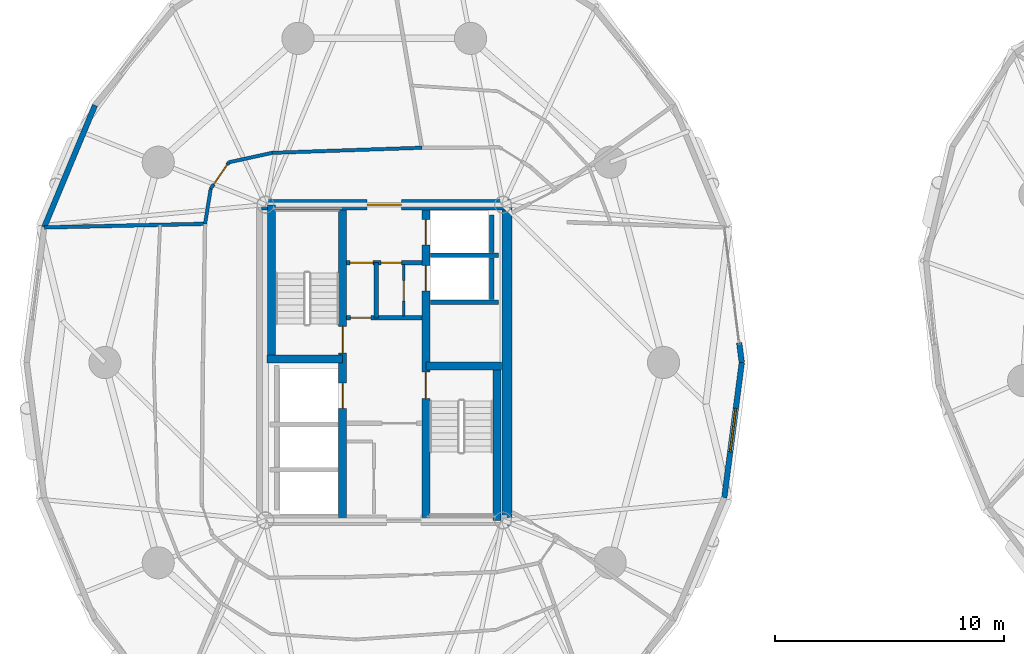
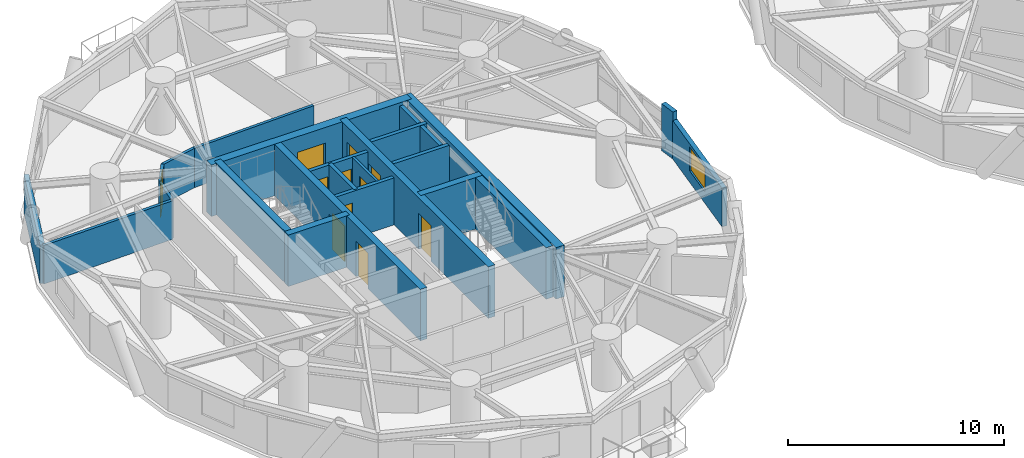
# One storey, part 10 of 18: 24 walls, 11 doors, 1 window, 12 openings.
"""IFC4 building model written with IfcOpenShell, lengths in metres."""

from ifc_helpers import new_model, si_unit, direction, frame, frame_2d, origin, place, context, subcontext, project, spatial, rectangle, extrude, source, transform, mapped, material, layer, layer_set, type_object, element, fill, save


model = new_model("IFC4")

# Units and contexts
model_context = context("Model", 3, precision=1e-05, world=origin(), true_north=direction((0.0, 1.0)))
body_context = subcontext(model_context, "Body", "Model", "MODEL_VIEW")
ifc_project = project(units=[si_unit("LENGTHUNIT", "METRE"), si_unit("AREAUNIT", "SQUARE_METRE"), si_unit("VOLUMEUNIT", "CUBIC_METRE"), si_unit("PLANEANGLEUNIT", "RADIAN"), si_unit("MASSUNIT", "GRAM", prefix="KILO")], contexts=[model_context])

# Site, building, storey
site_placement = place(None, origin())
site = spatial("IfcSite", under=ifc_project, at=site_placement, CompositionType="ELEMENT")
building_placement = place(site_placement, origin())
building = spatial("IfcBuilding", under=site, at=building_placement, Name="Cununo Teusaquillo Station Towers", CompositionType="ELEMENT")
storey_placement = place(building_placement, frame((0.0, 0.0, 105.070068359375)))
storey = spatial("IfcBuildingStorey", under=building, at=storey_placement, Name="L33", CompositionType="ELEMENT", Elevation=105.070068359375)

# Walls
ifc_material_1 = material(Name="Concrete C50/60", Category="concrete")
ifc_layer_1 = layer(ifc_material_1, 0.199951171875)
ifc_layer_set_1 = layer_set([ifc_layer_1], Name="Concrete C50/60")
wall_type_1 = type_object("IfcWallType", Name="WL-CORE-200", PredefinedType="SHEAR", material=ifc_layer_set_1)
for number, where, z_axis, x_axis, name in (
    (1, (18.510009765625, 27.1298828125, 0.0), (0.0, 0.0, 1.0), (1.0, 0.0, 0.0), "L33 Tower A Low-Rise Lift Hoistway South Shear Wall"),
    (2, (18.510009765625, 29.175048828125, 0.0), (0.0, 0.0, 1.0), (1.0, 0.0, 0.0), "L33 Tower A Low-Rise Lift Hoistway Divider Shear Wall"),
):
    element("IfcWall", number, at=place(storey_placement, frame(where, z_axis=z_axis, x_axis=x_axis)), inside=storey, type_object=wall_type_1, Name=name, PredefinedType="SHEAR", context=body_context, shape_type="SweptSolid", body=[
        extrude(rectangle(XDim=2.969970703125, YDim=0.199951171875, at=frame_2d((1.48486328125, 0.0))), origin(), (0.0, 0.0, 1.0), 2.909912109375),
    ])
wall_1_placement = place(storey_placement, frame((21.179931640625, 27.25, 0.0), z_axis=(0.0, 0.0, 1.0), x_axis=(0.0, 1.0, 0.0)))
element("IfcWall", 3, at=wall_1_placement, inside=storey, type_object=wall_type_1, Name="L33 Tower A Low-Rise Lift 1 Shaft Rear Shear Wall", PredefinedType="SHEAR", context=body_context, shape_type="SweptSolid", body=[
    extrude(rectangle(XDim=1.804931640625, YDim=0.199951171875, at=frame_2d((0.90234375, 0.0))), origin(), (0.0, 0.0, 1.0), 2.909912109375),
])
wall_2_placement = place(storey_placement, frame((21.179931640625, 29.294921875, 0.0), z_axis=(0.0, 0.0, 1.0), x_axis=(0.0, 1.0, 0.0)))
element("IfcWall", 4, at=wall_2_placement, inside=storey, type_object=wall_type_1, Name="L33 Tower A Low-Rise Lift 2 Shaft Rear Shear Wall", PredefinedType="SHEAR", context=body_context, shape_type="SweptSolid", body=[
    extrude(rectangle(XDim=1.635009765625, YDim=0.199951171875, at=frame_2d((0.8173828125, 0.0))), origin(), (0.0, 0.0, 1.0), 2.909912109375),
])

# Wall, openings, doors
ifc_material_2 = material(Name="Concrete C50/60", Category="concrete")
ifc_layer_2 = layer(ifc_material_2, 0.35009765625)
ifc_layer_set_2 = layer_set([ifc_layer_2], Name="Concrete C50/60")
wall_type_2 = type_object("IfcWallType", Name="WL-CORE-350", PredefinedType="SHEAR", material=ifc_layer_set_2)
wall_3_placement = place(storey_placement, frame((14.68505859375, 17.625, 0.0), z_axis=(0.0, 0.0, 1.0), x_axis=(0.0, 1.0, 0.0)))
wall_3 = element("IfcWall", 5, at=wall_3_placement, inside=storey, type_object=wall_type_2, Name="L33 Tower A Core Shear Wall IW", PredefinedType="SHEAR", context=body_context, shape_type="SweptSolid", body=[
    extrude(rectangle(XDim=13.75, YDim=0.35009765625, at=frame_2d((6.875, 0.0))), origin(), (0.0, 0.0, 1.0), 2.909912109375),
])
shared_shape_1 = source(origin(), body_context, "Body", "SweptSolid", [
    extrude(rectangle(XDim=1.10009765625, YDim=2.014892578125, at=frame_2d((0.550048828125, 1.00732421875))), frame((0.0, 0.18505859375, 0.0), z_axis=(0.0, -1.0, 0.0), x_axis=(1.0, 0.0, 0.0)), (0.0, 0.0, 1.0), 0.3701171875),
])
opening_1_placement = place(wall_3_placement, frame((4.875, 0.0, 0.0)))
opening_1 = element("IfcOpeningElement", 6, at=opening_1_placement, cuts=wall_3, Name="Opening LD-01", PredefinedType="OPENING", context=body_context, shape_type="MappedRepresentation", body=[
    mapped(shared_shape_1, transform((0.0, 0.0, 0.0), x_axis=(1.0, 0.0, 0.0), y_axis=(0.0, 1.0, 0.0), z_axis=(0.0, 0.0, 1.0), scale=1.0)),
])
shared_shape_2 = source(origin(), body_context, "Body", "SweptSolid", [
    extrude(rectangle(XDim=1.14990234375, YDim=2.02001953125, at=frame_2d((0.574951171875, 1.010009765625))), frame((0.0, 0.18505859375, 0.0), z_axis=(0.0, -1.0, 0.0), x_axis=(1.0, 0.0, 0.0)), (0.0, 0.0, 1.0), 0.3701171875),
])
opening_2_placement = place(wall_3_placement, frame((7.294921875, 0.0, 0.0)))
opening_2 = element("IfcOpeningElement", 7, at=opening_2_placement, cuts=wall_3, Name="Opening D-ST1", PredefinedType="OPENING", context=body_context, shape_type="MappedRepresentation", body=[
    mapped(shared_shape_2, transform((0.0, 0.0, 0.0), x_axis=(1.0, 0.0, 0.0), y_axis=(0.0, 1.0, 0.0), z_axis=(0.0, 0.0, 1.0), scale=1.0)),
])
ifc_material_3 = material(Name="Galvanised fire-rated hollow steel door assembly", Category="steel")
door_type_1 = type_object("IfcDoorType", Name="DR-LIFT-1100", OperationType="SLIDING_TO_LEFT", PredefinedType="DOOR", material=ifc_material_3)
shared_shape_3 = source(origin(), body_context, "Body", "SweptSolid", [
    extrude(rectangle(XDim=1.10009765625, YDim=2.014892578125, at=frame_2d((0.550048828125, 1.00732421875))), frame((0.0, 0.02490234375, 0.0), z_axis=(0.0, -1.0, 0.0), x_axis=(1.0, 0.0, 0.0)), (0.0, 0.0, 1.0), 0.050048828125),
])
door_1_placement = place(opening_1_placement, origin())
door_1 = element("IfcDoor", 8, at=door_1_placement, inside=storey, type_object=door_type_1, Name="L33 Lift FL-T1 Sliding Landing Door", OperationType="SLIDING_TO_RIGHT", OverallHeight=2.014892578125, OverallWidth=1.10009765625, PredefinedType="DOOR", context=body_context, shape_type="MappedRepresentation", body=[
    mapped(shared_shape_3, transform((0.0, 0.0, 0.0), x_axis=(1.0, 0.0, 0.0), y_axis=(0.0, 1.0, 0.0), z_axis=(0.0, 0.0, 1.0), scale=1.0)),
])
fill(opening_1, door_1)
ifc_material_4 = material(Name="Galvanised fire-rated hollow steel door assembly", Category="steel")
door_type_2 = type_object("IfcDoorType", Name="DR-STAIR-1150", OperationType="NOTDEFINED", PredefinedType="DOOR", material=ifc_material_4)
shared_shape_4 = source(origin(), body_context, "Body", "SweptSolid", [
    extrude(rectangle(XDim=1.14990234375, YDim=2.02001953125, at=frame_2d((0.574951171875, 1.010009765625))), frame((0.0, 0.02490234375, 0.0), z_axis=(0.0, -1.0, 0.0), x_axis=(1.0, 0.0, 0.0)), (0.0, 0.0, 1.0), 0.050048828125),
])
door_2_placement = place(opening_2_placement, origin())
door_2 = element("IfcDoor", 9, at=door_2_placement, inside=storey, type_object=door_type_2, Name="L33 Tower A Exit Stair 1 Fire Door", OperationType="SINGLE_SWING_RIGHT", OverallHeight=2.02001953125, OverallWidth=1.14990234375, PredefinedType="DOOR", context=body_context, shape_type="MappedRepresentation", body=[
    mapped(shared_shape_4, transform((0.0, 0.0, 0.0), x_axis=(1.0, 0.0, 0.0), y_axis=(0.0, 1.0, 0.0), z_axis=(0.0, 0.0, 1.0), scale=1.0)),
])
fill(opening_2, door_2)

wall_4_placement = place(storey_placement, frame((18.31494140625, 17.625, 0.0), z_axis=(0.0, 0.0, 1.0), x_axis=(0.0, 1.0, 0.0)))
wall_4 = element("IfcWall", 10, at=wall_4_placement, inside=storey, type_object=wall_type_2, Name="L33 Tower A Core Shear Wall IE", PredefinedType="SHEAR", context=body_context, shape_type="SweptSolid", body=[
    extrude(rectangle(XDim=13.75, YDim=0.35009765625, at=frame_2d((6.875, 0.0))), origin(), (0.0, 0.0, 1.0), 2.909912109375),
])
opening_3_placement = place(wall_4_placement, frame((10.0, 0.0, 0.0)))
opening_3 = element("IfcOpeningElement", 11, at=opening_3_placement, cuts=wall_4, Name="Opening LD-01", PredefinedType="OPENING", context=body_context, shape_type="MappedRepresentation", body=[
    mapped(shared_shape_1, transform((0.0, 0.0, 0.0), x_axis=(1.0, 0.0, 0.0), y_axis=(0.0, 1.0, 0.0), z_axis=(0.0, 0.0, 1.0), scale=1.0)),
])
opening_4_placement = place(wall_4_placement, frame((12.0, 0.0, 0.0)))
opening_4 = element("IfcOpeningElement", 12, at=opening_4_placement, cuts=wall_4, Name="Opening LD-01", PredefinedType="OPENING", context=body_context, shape_type="MappedRepresentation", body=[
    mapped(shared_shape_1, transform((0.0, 0.0, 0.0), x_axis=(1.0, 0.0, 0.0), y_axis=(0.0, 1.0, 0.0), z_axis=(0.0, 0.0, 1.0), scale=1.0)),
])
opening_5_placement = place(wall_4_placement, frame((5.304931640625, 0.0, 0.0)))
opening_5 = element("IfcOpeningElement", 13, at=opening_5_placement, cuts=wall_4, Name="Opening D-ST1", PredefinedType="OPENING", context=body_context, shape_type="MappedRepresentation", body=[
    mapped(shared_shape_2, transform((0.0, 0.0, 0.0), x_axis=(1.0, 0.0, 0.0), y_axis=(0.0, 1.0, 0.0), z_axis=(0.0, 0.0, 1.0), scale=1.0)),
])
door_3_placement = place(opening_3_placement, origin())
door_3 = element("IfcDoor", 14, at=door_3_placement, inside=storey, type_object=door_type_1, Name="L33 Lift PL-T1-L1 Sliding Landing Door", OperationType="SLIDING_TO_RIGHT", OverallHeight=2.014892578125, OverallWidth=1.10009765625, PredefinedType="DOOR", context=body_context, shape_type="MappedRepresentation", body=[
    mapped(shared_shape_3, transform((0.0, 0.0, 0.0), x_axis=(1.0, 0.0, 0.0), y_axis=(0.0, 1.0, 0.0), z_axis=(0.0, 0.0, 1.0), scale=1.0)),
])
fill(opening_3, door_3)
door_4_placement = place(opening_4_placement, origin())
door_4 = element("IfcDoor", 15, at=door_4_placement, inside=storey, type_object=door_type_1, Name="L33 Lift PL-T1-L2 Sliding Landing Door", OperationType="SLIDING_TO_LEFT", OverallHeight=2.014892578125, OverallWidth=1.10009765625, PredefinedType="DOOR", context=body_context, shape_type="MappedRepresentation", body=[
    mapped(shared_shape_3, transform((0.0, 0.0, 0.0), x_axis=(1.0, 0.0, 0.0), y_axis=(0.0, 1.0, 0.0), z_axis=(0.0, 0.0, 1.0), scale=1.0)),
])
fill(opening_4, door_4)
door_5_placement = place(opening_5_placement, origin())
door_5 = element("IfcDoor", 16, at=door_5_placement, inside=storey, type_object=door_type_2, Name="L33 Tower A Exit Stair 2 Fire Door", OperationType="SINGLE_SWING_LEFT", OverallHeight=2.02001953125, OverallWidth=1.14990234375, PredefinedType="DOOR", context=body_context, shape_type="MappedRepresentation", body=[
    mapped(shared_shape_4, transform((0.0, 0.0, 0.0), x_axis=(1.0, 0.0, 0.0), y_axis=(0.0, 1.0, 0.0), z_axis=(0.0, 0.0, 1.0), scale=1.0)),
])
fill(opening_5, door_5)

# Walls
wall_5_placement = place(storey_placement, frame((11.594970703125, 24.655029296875, 0.0), z_axis=(0.0, 0.0, 1.0), x_axis=(0.0, 1.0, 0.0)))
element("IfcWall", 17, at=wall_5_placement, inside=storey, type_object=wall_type_2, Name="L33 Tower A Core Shear Wall ST1W", PredefinedType="SHEAR", context=body_context, shape_type="SweptSolid", body=[
    extrude(rectangle(XDim=6.719970703125, YDim=0.35009765625, at=frame_2d((3.35986328125, 0.0))), origin(), (0.0, 0.0, 1.0), 2.909912109375),
])
wall_6_placement = place(storey_placement, frame((11.39990234375, 24.655029296875, 0.0), z_axis=(0.0, 0.0, 1.0), x_axis=(1.0, 0.0, 0.0)))
element("IfcWall", 18, at=wall_6_placement, inside=storey, type_object=wall_type_2, Name="L33 Tower A Core Shear Wall ST1S", PredefinedType="SHEAR", context=body_context, shape_type="SweptSolid", body=[
    extrude(rectangle(XDim=3.28515625, YDim=0.35009765625, at=frame_2d((1.642578125, 0.0))), origin(), (0.0, 0.0, 1.0), 2.909912109375),
])
wall_7_placement = place(storey_placement, frame((21.405029296875, 17.625, 0.0), z_axis=(0.0, 0.0, 1.0), x_axis=(0.0, 1.0, 0.0)))
element("IfcWall", 19, at=wall_7_placement, inside=storey, type_object=wall_type_2, Name="L33 Tower A Core Shear Wall ST2E", PredefinedType="SHEAR", context=body_context, shape_type="SweptSolid", body=[
    extrude(rectangle(XDim=6.719970703125, YDim=0.35009765625, at=frame_2d((3.35986328125, 0.0))), origin(), (0.0, 0.0, 1.0), 2.909912109375),
])
wall_8_placement = place(storey_placement, frame((18.31494140625, 24.344970703125, 0.0), z_axis=(0.0, 0.0, 1.0), x_axis=(1.0, 0.0, 0.0)))
element("IfcWall", 20, at=wall_8_placement, inside=storey, type_object=wall_type_2, Name="L33 Tower A Core Shear Wall ST2N", PredefinedType="SHEAR", context=body_context, shape_type="SweptSolid", body=[
    extrude(rectangle(XDim=3.28515625, YDim=0.35009765625, at=frame_2d((1.642578125, 0.0))), origin(), (0.0, 0.0, 1.0), 2.909912109375),
])
ifc_material_5 = material(Name="Concrete C60/75", Category="concrete")
ifc_layer_3 = layer(ifc_material_5, 0.449951171875)
ifc_layer_set_3 = layer_set([ifc_layer_3], Name="Concrete C60/75")
wall_type_3 = type_object("IfcWallType", Name="WL-CORE-450", PredefinedType="SHEAR", material=ifc_layer_set_3)
wall_9_placement = place(storey_placement, frame((21.85009765625, 17.39990234375, 0.0), z_axis=(0.0, 0.0, 1.0), x_axis=(0.0, 1.0, 0.0)))
element("IfcWall", 21, at=wall_9_placement, inside=storey, type_object=wall_type_3, Name="L33 Tower A Core Shear Wall E", PredefinedType="SHEAR", context=body_context, shape_type="SweptSolid", body=[
    extrude(rectangle(XDim=14.2001953125, YDim=0.449951171875, at=frame_2d((7.10009765625, 0.0))), origin(), (0.0, 0.0, 1.0), 2.909912109375),
])

# Wall, opening, door
wall_10_placement = place(storey_placement, frame((11.14990234375, 31.375, 0.0), z_axis=(0.0, 0.0, 1.0), x_axis=(1.0, 0.0, 0.0)))
wall_10 = element("IfcWall", 22, at=wall_10_placement, inside=storey, type_object=wall_type_3, Name="L33 Tower A Core Shear Wall N", PredefinedType="SHEAR", context=body_context, shape_type="SweptSolid", body=[
    extrude(rectangle(XDim=10.7001953125, YDim=0.449951171875, at=frame_2d((5.35009765625, 0.0))), origin(), (0.0, 0.0, 1.0), 2.909912109375),
])
shared_shape_5 = source(origin(), body_context, "Body", "SweptSolid", [
    extrude(rectangle(XDim=1.5, YDim=2.02001953125, at=frame_2d((0.75, 1.010009765625))), frame((0.0, 0.23486328125, 0.0), z_axis=(0.0, -1.0, 0.0), x_axis=(1.0, 0.0, 0.0)), (0.0, 0.0, 1.0), 0.469970703125),
])
opening_6_placement = place(wall_10_placement, frame((4.60009765625, 0.0, 0.0)))
opening_6 = element("IfcOpeningElement", 23, at=opening_6_placement, cuts=wall_10, Name="Opening D-LB1", PredefinedType="OPENING", context=body_context, shape_type="MappedRepresentation", body=[
    mapped(shared_shape_5, transform((0.0, 0.0, 0.0), x_axis=(1.0, 0.0, 0.0), y_axis=(0.0, 1.0, 0.0), z_axis=(0.0, 0.0, 1.0), scale=1.0)),
])
ifc_material_6 = material(Name="Galvanised fire-rated hollow steel door assembly", Category="steel")
door_type_3 = type_object("IfcDoorType", Name="DR-LOBBY-1500", OperationType="DOUBLE_DOOR_SINGLE_SWING", PredefinedType="DOOR", material=ifc_material_6)
shared_shape_6 = source(origin(), body_context, "Body", "SweptSolid", [
    extrude(rectangle(XDim=1.5, YDim=2.02001953125, at=frame_2d((0.75, 1.010009765625))), frame((0.0, 0.02490234375, 0.0), z_axis=(0.0, -1.0, 0.0), x_axis=(1.0, 0.0, 0.0)), (0.0, 0.0, 1.0), 0.050048828125),
])
door_6_placement = place(opening_6_placement, origin())
door_6 = element("IfcDoor", 24, at=door_6_placement, inside=storey, type_object=door_type_3, Name="L33 Tower A North Core Lift Lobby Door", OperationType="DOUBLE_DOOR_SINGLE_SWING", OverallHeight=2.02001953125, OverallWidth=1.5, PredefinedType="DOOR", context=body_context, shape_type="MappedRepresentation", body=[
    mapped(shared_shape_6, transform((0.0, 0.0, 0.0), x_axis=(1.0, 0.0, 0.0), y_axis=(0.0, 1.0, 0.0), z_axis=(0.0, 0.0, 1.0), scale=1.0)),
])
fill(opening_6, door_6)

# Walls
ifc_material_7 = material(Name="Precast concrete C40/50", Category="concrete")
ifc_layer_4 = layer(ifc_material_7, 0.239990234375)
ifc_layer_set_4 = layer_set([ifc_layer_4], Name="Precast concrete C40/50")
wall_type_4 = type_object("IfcWallType", Name="WL-EXT-240", PredefinedType="SOLIDWALL", material=ifc_layer_set_4)
wall_11_placement = place(storey_placement, frame((31.96923828125, 25.36279296875, 0.0), z_axis=(0.0, 0.0, 1.0), x_axis=(0.128523364007, -0.991706481225, 0.0)))
element("IfcWall", 25, at=wall_11_placement, inside=storey, type_object=wall_type_4, Name="L33 Tower A Column Pier Cladding Wall C00-PB", PredefinedType="SOLIDWALL", context=body_context, shape_type="SweptSolid", body=[
    extrude(rectangle(XDim=0.8701171875, YDim=0.239990234375, at=frame_2d((0.43505859375, 0.0))), origin(), (0.0, 0.0, 1.0), 2.655029296875),
])
wall_12_placement = place(storey_placement, frame((1.681640625, 30.39306640625, 0.0), z_axis=(0.0, 0.0, 1.0), x_axis=(0.384344417632, 0.923189779317, 0.0)))
element("IfcWall", 26, at=wall_12_placement, inside=storey, type_object=wall_type_4, Name="L33 Tower A Exterior Facade Wall C08", PredefinedType="SOLIDWALL", context=body_context, shape_type="SweptSolid", body=[
    extrude(rectangle(XDim=5.75830078125, YDim=0.239990234375, at=frame_2d((2.879150390625, 0.0))), origin(), (0.0, 0.0, 1.0), 2.178955078125),
])

# Wall, opening, window
wall_13_placement = place(storey_placement, frame((32.0810546875, 24.5, 0.0), z_axis=(0.0, 0.0, 1.0), x_axis=(-0.128351991996, -0.991728675672, 0.0)))
wall_13 = element("IfcWall", 27, at=wall_13_placement, inside=storey, type_object=wall_type_4, Name="L33 Tower A Exterior Facade Wall C19", PredefinedType="SOLIDWALL", context=body_context, shape_type="SweptSolid", body=[
    extrude(rectangle(XDim=5.942138671875, YDim=0.239990234375, at=frame_2d((2.97119140625, 0.0))), origin(), (0.0, 0.0, 1.0), 2.178955078125),
])
shared_shape_7 = source(origin(), body_context, "Body", "SweptSolid", [
    extrude(rectangle(XDim=1.89990234375, YDim=1.35009765625, at=frame_2d((0.949951171875, 0.675048828125))), frame((0.0, 0.1298828125, 0.0), z_axis=(0.0, -1.0, 0.0), x_axis=(1.0, 0.0, 0.0)), (0.0, 0.0, 1.0), 0.260009765625),
])
opening_7_placement = place(wall_13_placement, frame((2.02099609375, 0.0, 0.64990234375)))
opening_7 = element("IfcOpeningElement", 28, at=opening_7_placement, cuts=wall_13, Name="Opening WN-02", PredefinedType="OPENING", context=body_context, shape_type="MappedRepresentation", body=[
    mapped(shared_shape_7, transform((0.0, 0.0, 0.0), x_axis=(1.0, 0.0, 0.0), y_axis=(0.0, 1.0, 0.0), z_axis=(0.0, 0.0, 1.0), scale=1.0)),
])
ifc_material_8 = material(Name="Operable acoustic tinted low-E double glazing", Category="glass")
window_type = type_object("IfcWindowType", Name="WIN-OPER-1900", PartitioningType="DOUBLE_PANEL_VERTICAL", PredefinedType="WINDOW", material=ifc_material_8)
shared_shape_8 = source(origin(), body_context, "Body", "SweptSolid", [
    extrude(rectangle(XDim=1.89990234375, YDim=1.35009765625, at=frame_2d((0.949951171875, 0.675048828125))), frame((0.0, 0.030029296875, 0.0), z_axis=(0.0, -1.0, 0.0), x_axis=(1.0, 0.0, 0.0)), (0.0, 0.0, 1.0), 0.06005859375),
])
window_placement = place(opening_7_placement, origin())
window = element("IfcWindow", 29, at=window_placement, inside=storey, type_object=window_type, Name="L33 Tower A Facade Window C19", OverallHeight=1.35009765625, OverallWidth=1.89990234375, PartitioningType="DOUBLE_PANEL_VERTICAL", PredefinedType="WINDOW", context=body_context, shape_type="MappedRepresentation", body=[
    mapped(shared_shape_8, transform((0.0, 0.0, 0.0), x_axis=(1.0, 0.0, 0.0), y_axis=(0.0, 1.0, 0.0), z_axis=(0.0, 0.0, 1.0), scale=1.0)),
])
fill(opening_7, window)

# Wall, opening, door
ifc_material_9 = material(Name="Fire-rated gypsum plasterboard partition assembly", Category="gypsum")
ifc_layer_5 = layer(ifc_material_9, 0.125)
ifc_layer_set_5 = layer_set([ifc_layer_5], Name="Fire-rated gypsum plasterboard partition assembly")
wall_type_5 = type_object("IfcWallType", Name="WL-PART-125", PredefinedType="PARTITIONING", material=ifc_layer_set_5)
wall_14_placement = place(storey_placement, frame((17.35009765625, 26.52001953125, 0.0), z_axis=(0.0, 0.0, 1.0), x_axis=(0.0, 1.0, 0.0)))
wall_14 = element("IfcWall", 30, at=wall_14_placement, inside=storey, type_object=wall_type_5, Name="L33 Tower A Core Vertical Split Wall", PredefinedType="PARTITIONING", context=body_context, shape_type="SweptSolid", body=[
    extrude(rectangle(XDim=2.260009765625, YDim=0.125, at=frame_2d((1.1298828125, 0.0))), origin(), (0.0, 0.0, 1.0), 2.655029296875),
])
shared_shape_9 = source(origin(), body_context, "Body", "SweptSolid", [
    extrude(rectangle(XDim=0.89990234375, YDim=2.0048828125, at=frame_2d((0.449951171875, 1.00244140625))), frame((0.0, 0.072509765625, 0.0), z_axis=(0.0, -1.0, 0.0), x_axis=(1.0, 0.0, 0.0)), (0.0, 0.0, 1.0), 0.14501953125),
])
opening_8_placement = place(wall_14_placement, frame((0.64990234375, 0.0, 0.0)))
opening_8 = element("IfcOpeningElement", 31, at=opening_8_placement, cuts=wall_14, Name="Opening D-SR1", PredefinedType="OPENING", context=body_context, shape_type="MappedRepresentation", body=[
    mapped(shared_shape_9, transform((0.0, 0.0, 0.0), x_axis=(1.0, 0.0, 0.0), y_axis=(0.0, 1.0, 0.0), z_axis=(0.0, 0.0, 1.0), scale=1.0)),
])
ifc_material_10 = material(Name="Galvanised fire-rated hollow steel door assembly", Category="steel")
door_type_4 = type_object("IfcDoorType", Name="DR-STORE-900", OperationType="NOTDEFINED", PredefinedType="DOOR", material=ifc_material_10)
shared_shape_10 = source(origin(), body_context, "Body", "SweptSolid", [
    extrude(rectangle(XDim=0.89990234375, YDim=2.0048828125, at=frame_2d((0.449951171875, 1.00244140625))), frame((0.0, 0.02490234375, 0.0), z_axis=(0.0, -1.0, 0.0), x_axis=(1.0, 0.0, 0.0)), (0.0, 0.0, 1.0), 0.050048828125),
])
door_7_placement = place(opening_8_placement, origin())
door_7 = element("IfcDoor", 32, at=door_7_placement, inside=storey, type_object=door_type_4, Name="L33 Tower A Core Electrical Room Door", OperationType="SINGLE_SWING_RIGHT", OverallHeight=2.0048828125, OverallWidth=0.89990234375, PredefinedType="DOOR", context=body_context, shape_type="MappedRepresentation", body=[
    mapped(shared_shape_10, transform((0.0, 0.0, 0.0), x_axis=(1.0, 0.0, 0.0), y_axis=(0.0, 1.0, 0.0), z_axis=(0.0, 0.0, 1.0), scale=1.0)),
])
fill(opening_8, door_7)

# Walls
ifc_material_11 = material(Name="Fire-rated gypsum plasterboard partition assembly", Category="gypsum")
ifc_layer_6 = layer(ifc_material_11, 0.14990234375)
ifc_layer_set_6 = layer_set([ifc_layer_6], Name="Fire-rated gypsum plasterboard partition assembly")
wall_type_6 = type_object("IfcWallType", Name="WL-PART-150", PredefinedType="PARTITIONING", material=ifc_layer_set_6)
wall_15_placement = place(storey_placement, frame((18.142822265625, 33.859619140625, 0.0), z_axis=(0.0, 0.0, 1.0), x_axis=(-0.999419208319, -0.034077060363, 0.0)))
element("IfcWall", 33, at=wall_15_placement, inside=storey, type_object=wall_type_6, Name="L33 Tower A Corridor Ring Wall C05", PredefinedType="PARTITIONING", context=body_context, shape_type="SweptSolid", body=[
    extrude(rectangle(XDim=6.52685546875, YDim=0.14990234375, at=frame_2d((3.263427734375, 0.0))), origin(), (0.0, 0.0, 1.0), 2.224853515625),
])
wall_16_placement = place(storey_placement, frame((11.619873046875, 33.63720703125, 0.0), z_axis=(0.0, 0.0, 1.0), x_axis=(-0.97702579435, -0.213121085711, 0.0)))
element("IfcWall", 34, at=wall_16_placement, inside=storey, type_object=wall_type_6, Name="L33 Tower A Corridor Ring Wall C06", PredefinedType="PARTITIONING", context=body_context, shape_type="SweptSolid", body=[
    extrude(rectangle(XDim=1.934814453125, YDim=0.14990234375, at=frame_2d((0.96728515625, 0.0))), origin(), (0.0, 0.0, 1.0), 2.224853515625),
])

# Wall, opening, door
wall_17_placement = place(storey_placement, frame((9.7294921875, 33.224853515625, 0.0), z_axis=(0.0, 0.0, 1.0), x_axis=(-0.567183649484, -0.82359134755, 0.0)))
wall_17 = element("IfcWall", 35, at=wall_17_placement, inside=storey, type_object=wall_type_6, Name="L33 Tower A Corridor Ring Wall C07", PredefinedType="PARTITIONING", context=body_context, shape_type="SweptSolid", body=[
    extrude(rectangle(XDim=1.39208984375, YDim=0.14990234375, at=frame_2d((0.696044921875, 0.0))), origin(), (0.0, 0.0, 1.0), 2.224853515625),
])
shared_shape_11 = source(origin(), body_context, "Body", "SweptSolid", [
    extrude(rectangle(XDim=1.050048828125, YDim=2.014892578125, at=frame_2d((0.52490234375, 1.00732421875))), frame((0.0, 0.0849609375, 0.0), z_axis=(0.0, -1.0, 0.0), x_axis=(1.0, 0.0, 0.0)), (0.0, 0.0, 1.0), 0.169921875),
])
opening_9_placement = place(wall_17_placement, frame((0.1201171875, 0.0, 0.0)))
opening_9 = element("IfcOpeningElement", 36, at=opening_9_placement, cuts=wall_17, Name="Opening D-SU1", PredefinedType="OPENING", context=body_context, shape_type="MappedRepresentation", body=[
    mapped(shared_shape_11, transform((0.0, 0.0, 0.0), x_axis=(1.0, 0.0, 0.0), y_axis=(0.0, 1.0, 0.0), z_axis=(0.0, 0.0, 1.0), scale=1.0)),
])
ifc_material_12 = material(Name="Acoustic solid-core hardwood leaf assembly", Category="wood")
door_type_5 = type_object("IfcDoorType", Name="DR-SUITE-1050", OperationType="NOTDEFINED", PredefinedType="DOOR", material=ifc_material_12)
shared_shape_12 = source(origin(), body_context, "Body", "SweptSolid", [
    extrude(rectangle(XDim=1.050048828125, YDim=2.014892578125, at=frame_2d((0.52490234375, 1.00732421875))), frame((0.0, 0.02490234375, 0.0), z_axis=(0.0, -1.0, 0.0), x_axis=(1.0, 0.0, 0.0)), (0.0, 0.0, 1.0), 0.050048828125),
])
door_8_placement = place(opening_9_placement, origin())
door_8 = element("IfcDoor", 37, at=door_8_placement, inside=storey, type_object=door_type_5, Name="L33 Tower A Bilateral Treaty Conference Room Entrance Door", OperationType="SINGLE_SWING_LEFT", OverallHeight=2.014892578125, OverallWidth=1.050048828125, PredefinedType="DOOR", context=body_context, shape_type="MappedRepresentation", body=[
    mapped(shared_shape_12, transform((0.0, 0.0, 0.0), x_axis=(1.0, 0.0, 0.0), y_axis=(0.0, 1.0, 0.0), z_axis=(0.0, 0.0, 1.0), scale=1.0)),
])
fill(opening_9, door_8)

# Walls
wall_18_placement = place(storey_placement, frame((8.93994140625, 32.078369140625, 0.0), z_axis=(0.0, 0.0, 1.0), x_axis=(-0.159148467753, -0.98725466077, 0.0)))
element("IfcWall", 38, at=wall_18_placement, inside=storey, type_object=wall_type_6, Name="L33 Tower A Corridor Ring Wall C08", PredefinedType="PARTITIONING", context=body_context, shape_type="SweptSolid", body=[
    extrude(rectangle(XDim=1.553955078125, YDim=0.14990234375, at=frame_2d((0.77685546875, 0.0))), origin(), (0.0, 0.0, 1.0), 2.224853515625),
])
ifc_material_13 = material(Name="Fire-rated gypsum plasterboard partition assembly", Category="gypsum")
ifc_layer_7 = layer(ifc_material_13, 0.159912109375)
ifc_layer_set_7 = layer_set([ifc_layer_7], Name="Fire-rated gypsum plasterboard partition assembly")
wall_type_7 = type_object("IfcWallType", Name="WL-PART-160", PredefinedType="PARTITIONING", material=ifc_layer_set_7)
wall_19_placement = place(storey_placement, frame((8.692626953125, 30.544189453125, 0.0), z_axis=(0.0, 0.0, 1.0), x_axis=(-0.999746482141, -0.022516026432, 0.0)))
element("IfcWall", 39, at=wall_19_placement, inside=storey, type_object=wall_type_7, Name="L33 Tower A Radial Suite Partition R04", PredefinedType="PARTITIONING", context=body_context, shape_type="SweptSolid", body=[
    extrude(rectangle(XDim=6.99365234375, YDim=0.159912109375, at=frame_2d((3.496826171875, 0.0))), origin(), (0.0, 0.0, 1.0), 2.178955078125),
])

# Wall, opening, door
ifc_material_14 = material(Name="Fire-rated gypsum plasterboard partition assembly", Category="gypsum")
ifc_layer_8 = layer(ifc_material_14, 0.199951171875)
ifc_layer_set_8 = layer_set([ifc_layer_8], Name="Fire-rated gypsum plasterboard partition assembly")
wall_type_8 = type_object("IfcWallType", Name="WL-PART-200", PredefinedType="PARTITIONING", material=ifc_layer_set_8)
wall_20_placement = place(storey_placement, frame((14.860107421875, 26.449951171875, 0.0), z_axis=(0.0, 0.0, 1.0), x_axis=(1.0, 0.0, 0.0)))
wall_20 = element("IfcWall", 40, at=wall_20_placement, inside=storey, type_object=wall_type_8, Name="L33 Tower A Firefighting Lift Lobby North Fire Wall", PredefinedType="PARTITIONING", context=body_context, shape_type="SweptSolid", body=[
    extrude(rectangle(XDim=3.27978515625, YDim=0.199951171875, at=frame_2d((1.639892578125, 0.0))), origin(), (0.0, 0.0, 1.0), 2.655029296875),
])
shared_shape_13 = source(origin(), body_context, "Body", "SweptSolid", [
    extrude(rectangle(XDim=0.89990234375, YDim=2.0048828125, at=frame_2d((0.449951171875, 1.00244140625))), frame((0.0, 0.10986328125, 0.0), z_axis=(0.0, -1.0, 0.0), x_axis=(1.0, 0.0, 0.0)), (0.0, 0.0, 1.0), 0.219970703125),
])
opening_10_placement = place(wall_20_placement, frame((0.159912109375, 0.0, 0.0)))
opening_10 = element("IfcOpeningElement", 41, at=opening_10_placement, cuts=wall_20, Name="Opening D-SR1", PredefinedType="OPENING", context=body_context, shape_type="MappedRepresentation", body=[
    mapped(shared_shape_13, transform((0.0, 0.0, 0.0), x_axis=(1.0, 0.0, 0.0), y_axis=(0.0, 1.0, 0.0), z_axis=(0.0, 0.0, 1.0), scale=1.0)),
])
door_9_placement = place(opening_10_placement, origin())
door_9 = element("IfcDoor", 42, at=door_9_placement, inside=storey, type_object=door_type_4, Name="L33 Tower A Stair 1 Protected Vestibule South Door", OperationType="SINGLE_SWING_RIGHT", OverallHeight=2.0048828125, OverallWidth=0.89990234375, PredefinedType="DOOR", context=body_context, shape_type="MappedRepresentation", body=[
    mapped(shared_shape_10, transform((0.0, 0.0, 0.0), x_axis=(1.0, 0.0, 0.0), y_axis=(0.0, 1.0, 0.0), z_axis=(0.0, 0.0, 1.0), scale=1.0)),
])
fill(opening_10, door_9)

# Wall
wall_21_placement = place(storey_placement, frame((16.14990234375, 26.449951171875, 0.0), z_axis=(0.0, 0.0, 1.0), x_axis=(0.0, 1.0, 0.0)))
element("IfcWall", 43, at=wall_21_placement, inside=storey, type_object=wall_type_8, Name="L33 Tower A Stair 1 Vestibule Partition Wall", PredefinedType="PARTITIONING", context=body_context, shape_type="SweptSolid", body=[
    extrude(rectangle(XDim=2.400146484375, YDim=0.199951171875, at=frame_2d((1.2001953125, 0.0))), origin(), (0.0, 0.0, 1.0), 2.655029296875),
])

# Wall, openings, doors
wall_22_placement = place(storey_placement, frame((14.860107421875, 28.85009765625, 0.0), z_axis=(0.0, 0.0, 1.0), x_axis=(1.0, 0.0, 0.0)))
wall_22 = element("IfcWall", 44, at=wall_22_placement, inside=storey, type_object=wall_type_8, Name="L33 Tower A North Lift Lobby South Fire Wall", PredefinedType="PARTITIONING", context=body_context, shape_type="SweptSolid", body=[
    extrude(rectangle(XDim=3.27978515625, YDim=0.199951171875, at=frame_2d((1.639892578125, 0.0))), origin(), (0.0, 0.0, 1.0), 2.655029296875),
])
shared_shape_14 = source(origin(), body_context, "Body", "SweptSolid", [
    extrude(rectangle(XDim=1.0, YDim=2.014892578125, at=frame_2d((0.5, 1.00732421875))), frame((0.0, 0.10986328125, 0.0), z_axis=(0.0, -1.0, 0.0), x_axis=(1.0, 0.0, 0.0)), (0.0, 0.0, 1.0), 0.219970703125),
])
opening_11_placement = place(wall_22_placement, frame((0.139892578125, 0.0, 0.0)))
opening_11 = element("IfcOpeningElement", 45, at=opening_11_placement, cuts=wall_22, Name="Opening D-AC1", PredefinedType="OPENING", context=body_context, shape_type="MappedRepresentation", body=[
    mapped(shared_shape_14, transform((0.0, 0.0, 0.0), x_axis=(1.0, 0.0, 0.0), y_axis=(0.0, 1.0, 0.0), z_axis=(0.0, 0.0, 1.0), scale=1.0)),
])
opening_12_placement = place(wall_22_placement, frame((1.5, 0.0, 0.0)))
opening_12 = element("IfcOpeningElement", 46, at=opening_12_placement, cuts=wall_22, Name="Opening D-SR1", PredefinedType="OPENING", context=body_context, shape_type="MappedRepresentation", body=[
    mapped(shared_shape_13, transform((0.0, 0.0, 0.0), x_axis=(1.0, 0.0, 0.0), y_axis=(0.0, 1.0, 0.0), z_axis=(0.0, 0.0, 1.0), scale=1.0)),
])
door_10_placement = place(opening_12_placement, origin())
door_10 = element("IfcDoor", 47, at=door_10_placement, inside=storey, type_object=door_type_4, Name="L33 Tower A Core Housekeeping Store Door", OperationType="SINGLE_SWING_LEFT", OverallHeight=2.0048828125, OverallWidth=0.89990234375, PredefinedType="DOOR", context=body_context, shape_type="MappedRepresentation", body=[
    mapped(shared_shape_10, transform((0.0, 0.0, 0.0), x_axis=(1.0, 0.0, 0.0), y_axis=(0.0, 1.0, 0.0), z_axis=(0.0, 0.0, 1.0), scale=1.0)),
])
fill(opening_12, door_10)
ifc_material_15 = material(Name="Acoustic solid-core hardwood leaf assembly", Category="wood")
door_type_6 = type_object("IfcDoorType", Name="DR-ACC-1000", OperationType="NOTDEFINED", PredefinedType="DOOR", material=ifc_material_15)
shared_shape_15 = source(origin(), body_context, "Body", "SweptSolid", [
    extrude(rectangle(XDim=1.0, YDim=2.014892578125, at=frame_2d((0.5, 1.00732421875))), frame((0.0, 0.02490234375, 0.0), z_axis=(0.0, -1.0, 0.0), x_axis=(1.0, 0.0, 0.0)), (0.0, 0.0, 1.0), 0.050048828125),
])
door_11_placement = place(opening_11_placement, origin())
door_11 = element("IfcDoor", 48, at=door_11_placement, inside=storey, type_object=door_type_6, Name="L33 Tower A North Lift Lobby to Stair 1 Vestibule Door", OperationType="SINGLE_SWING_LEFT", OverallHeight=2.014892578125, OverallWidth=1.0, PredefinedType="DOOR", context=body_context, shape_type="MappedRepresentation", body=[
    mapped(shared_shape_15, transform((0.0, 0.0, 0.0), x_axis=(1.0, 0.0, 0.0), y_axis=(0.0, 1.0, 0.0), z_axis=(0.0, 0.0, 1.0), scale=1.0)),
])
fill(opening_11, door_11)

save(model, "model.ifc")
